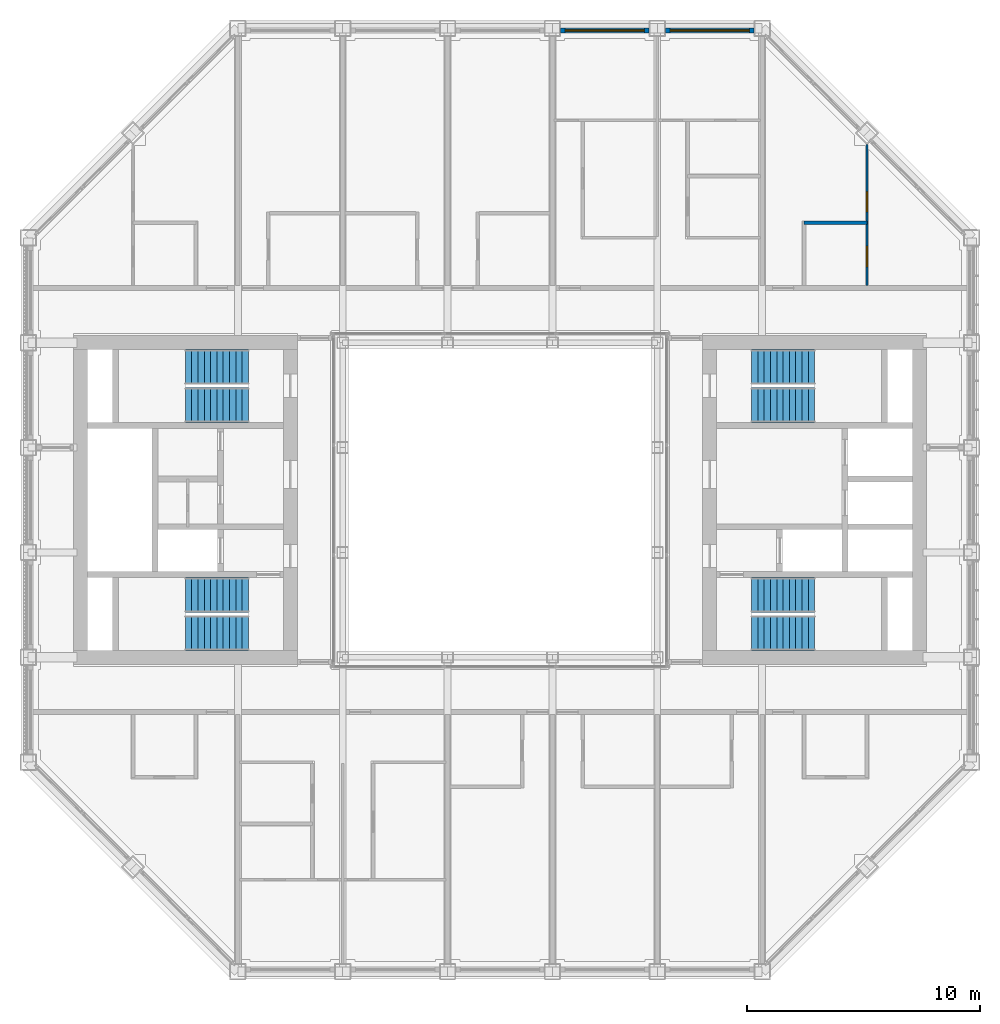
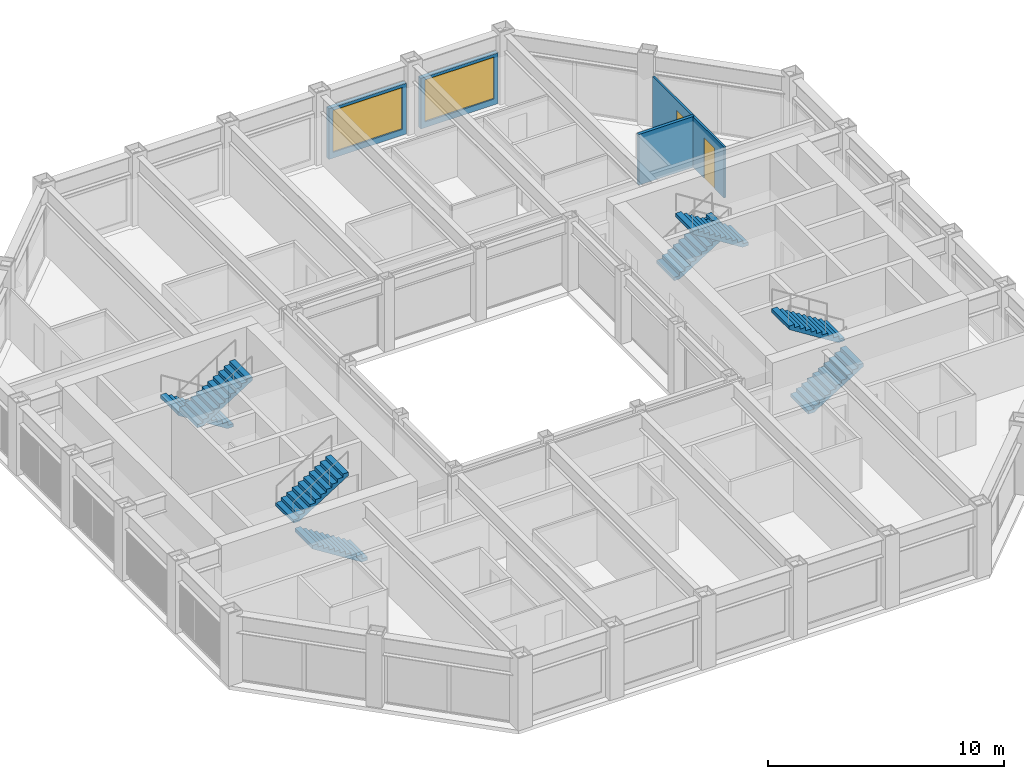
# One storey, part 13 of 18: 8 stair flights, 4 walls, 2 doors, 2 windows, 4 openings, 4 elements without a shape of their own.
"""IFC4 building model written with IfcOpenShell, lengths in metres."""

from ifc_helpers import new_model, si_unit, direction, frame, frame_2d, origin, place, context, subcontext, project, spatial, polyline, rectangle, outline, extrude, material, layer, layer_set, type_object, element, fill, aggregate, save


model = new_model("IFC4")

# Units and contexts
model_context = context("Model", 3, precision=1e-05, world=origin(), true_north=direction((0.0, 1.0)))
body_context = subcontext(model_context, "Body", "Model", "MODEL_VIEW")
ifc_project = project(units=[si_unit("LENGTHUNIT", "METRE"), si_unit("AREAUNIT", "SQUARE_METRE"), si_unit("VOLUMEUNIT", "CUBIC_METRE"), si_unit("PLANEANGLEUNIT", "RADIAN"), si_unit("MASSUNIT", "GRAM", prefix="KILO")], contexts=[model_context])

# Site, building, storey
site_placement = place(None, origin())
site = spatial("IfcSite", under=ifc_project, at=site_placement, CompositionType="ELEMENT")
building_placement = place(site_placement, origin())
building = spatial("IfcBuilding", under=site, at=building_placement, Name="Msasa Ring Tower", CompositionType="ELEMENT")
storey_placement = place(building_placement, frame((0.0, 0.0, 227.050048828125)))
storey = spatial("IfcBuildingStorey", under=building, at=storey_placement, Name="L59", CompositionType="ELEMENT", Elevation=227.050048828125)

# Wall, opening, window
ifc_material_1 = material(Name="Terracotta rainscreen on blockwork", Category="masonry")
ifc_layer_1 = layer(ifc_material_1, 0.199951171875)
ifc_layer_set_1 = layer_set([ifc_layer_1], Name="FW1 TERRACOTTA-LINED INFILL BAY WALL 200")
wall_type_1 = type_object("IfcWallType", Name="FW1 TERRACOTTA-LINED INFILL BAY WALL 200", PredefinedType="SOLIDWALL", material=ifc_layer_set_1)
wall_1_placement = place(storey_placement, frame((2.60498046875, 20.14990234375, 0.0), z_axis=(0.0, 0.0, 1.0), x_axis=(1.0, 0.0, 0.0)))
wall_1 = element("IfcWall", 1, at=wall_1_placement, inside=storey, type_object=wall_type_1, Name="Infill bay wall N L59 17", PredefinedType="SOLIDWALL", context=body_context, shape_type="SweptSolid", body=[
    extrude(rectangle(XDim=3.7900390625, YDim=0.199951171875, at=frame_2d((1.89501953125, 0.0))), origin(), (0.0, 0.0, 1.0), 2.62890625),
])
opening_1_placement = place(wall_1_placement, frame((0.195068359375, 0.0, 0.300048828125)))
opening_1 = element("IfcOpeningElement", 2, at=opening_1_placement, cuts=wall_1, Name="Opening WN3", PredefinedType="OPENING", context=body_context, shape_type="SweptSolid", body=[
    extrude(rectangle(XDim=3.39990234375, YDim=2.178955078125, at=frame_2d((1.699951171875, 1.08935546875))), frame((0.0, 0.10986328125, 0.0), z_axis=(0.0, -1.0, 0.0), x_axis=(1.0, 0.0, 0.0)), (0.0, 0.0, 1.0), 0.219970703125),
])
ifc_material_2 = material(Name="Aluminium frame with clear glass", Category="aluminium")
window_type = type_object("IfcWindowType", Name="WN3 SUITE WINDOW 3400x2179", PartitioningType="SINGLE_PANEL", PredefinedType="WINDOW", material=ifc_material_2)
window_1_placement = place(opening_1_placement, origin())
window_1 = element("IfcWindow", 3, at=window_1_placement, inside=storey, type_object=window_type, Name="Window N L59 17", OverallHeight=2.178955078125, OverallWidth=3.39990234375, PartitioningType="SINGLE_PANEL", PredefinedType="WINDOW", context=body_context, shape_type="SweptSolid", body=[
    extrude(rectangle(XDim=3.39990234375, YDim=2.178955078125, at=frame_2d((1.699951171875, 1.08935546875))), frame((0.0, 0.030029296875, 0.0), z_axis=(0.0, -1.0, 0.0), x_axis=(1.0, 0.0, 0.0)), (0.0, 0.0, 1.0), 0.06005859375),
])
fill(opening_1, window_1)

wall_2_placement = place(storey_placement, frame((7.10498046875, 20.14990234375, 0.0), z_axis=(0.0, 0.0, 1.0), x_axis=(1.0, 0.0, 0.0)))
wall_2 = element("IfcWall", 4, at=wall_2_placement, inside=storey, type_object=wall_type_1, Name="Infill bay wall N L59 18", PredefinedType="SOLIDWALL", context=body_context, shape_type="SweptSolid", body=[
    extrude(rectangle(XDim=3.7900390625, YDim=0.199951171875, at=frame_2d((1.89501953125, 0.0))), origin(), (0.0, 0.0, 1.0), 2.62890625),
])
opening_2_placement = place(wall_2_placement, frame((0.195068359375, 0.0, 0.300048828125)))
opening_2 = element("IfcOpeningElement", 5, at=opening_2_placement, cuts=wall_2, Name="Opening WN3", PredefinedType="OPENING", context=body_context, shape_type="SweptSolid", body=[
    extrude(rectangle(XDim=3.39990234375, YDim=2.178955078125, at=frame_2d((1.699951171875, 1.08935546875))), frame((0.0, 0.10986328125, 0.0), z_axis=(0.0, -1.0, 0.0), x_axis=(1.0, 0.0, 0.0)), (0.0, 0.0, 1.0), 0.219970703125),
])
window_2_placement = place(opening_2_placement, origin())
window_2 = element("IfcWindow", 6, at=window_2_placement, inside=storey, type_object=window_type, Name="Window N L59 18", OverallHeight=2.178955078125, OverallWidth=3.39990234375, PartitioningType="SINGLE_PANEL", PredefinedType="WINDOW", context=body_context, shape_type="SweptSolid", body=[
    extrude(rectangle(XDim=3.39990234375, YDim=2.178955078125, at=frame_2d((1.699951171875, 1.08935546875))), frame((0.0, 0.030029296875, 0.0), z_axis=(0.0, -1.0, 0.0), x_axis=(1.0, 0.0, 0.0)), (0.0, 0.0, 1.0), 0.06005859375),
])
fill(opening_2, window_2)

# Wall, openings, doors
ifc_material_3 = material(Name="Gypsum board on steel studs", Category="steel")
ifc_layer_2 = layer(ifc_material_3, 0.10009765625)
ifc_layer_set_2 = layer_set([ifc_layer_2], Name="PT2 STUD PARTITION 100")
wall_type_2 = type_object("IfcWallType", Name="PT2 STUD PARTITION 100", PredefinedType="PARTITIONING", material=ifc_layer_set_2)
wall_3_placement = place(storey_placement, frame((15.75, 9.199951171875, 0.0), z_axis=(0.0, 0.0, 1.0), x_axis=(0.0, 1.0, 0.0)))
wall_3 = element("IfcWall", 7, at=wall_3_placement, inside=storey, type_object=wall_type_2, Name="Partition L59-CSNEP1", PredefinedType="PARTITIONING", context=body_context, shape_type="SweptSolid", body=[
    extrude(rectangle(XDim=6.054931640625, YDim=0.10009765625, at=frame_2d((3.02734375, 0.0))), origin(), (0.0, 0.0, 1.0), 2.62890625),
])
opening_3_placement = place(wall_3_placement, frame((3.175048828125, 0.0, 0.0)))
opening_3 = element("IfcOpeningElement", 8, at=opening_3_placement, cuts=wall_3, Name="Opening SC-006", PredefinedType="OPENING", context=body_context, shape_type="SweptSolid", body=[
    extrude(rectangle(XDim=0.85009765625, YDim=2.10009765625, at=frame_2d((0.425048828125, 1.050048828125))), frame((0.0, 0.06005859375, 0.0), z_axis=(0.0, -1.0, 0.0), x_axis=(1.0, 0.0, 0.0)), (0.0, 0.0, 1.0), 0.1201171875),
])
opening_4_placement = place(wall_3_placement, frame((0.800048828125, 0.0, 0.0)))
opening_4 = element("IfcOpeningElement", 9, at=opening_4_placement, cuts=wall_3, Name="Opening SC-012", PredefinedType="OPENING", context=body_context, shape_type="SweptSolid", body=[
    extrude(rectangle(XDim=0.89990234375, YDim=2.10009765625, at=frame_2d((0.449951171875, 1.050048828125))), frame((0.0, 0.06005859375, 0.0), z_axis=(0.0, -1.0, 0.0), x_axis=(1.0, 0.0, 0.0)), (0.0, 0.0, 1.0), 0.1201171875),
])
ifc_material_4 = material(Name="Timber door leaf in a steel frame", Category="steel")
door_type_1 = type_object("IfcDoorType", Name="D14 BEDROOM DOOR 850x2100", OperationType="SINGLE_SWING_LEFT", PredefinedType="DOOR", material=ifc_material_4)
door_1_placement = place(opening_3_placement, origin())
door_1 = element("IfcDoor", 10, at=door_1_placement, inside=storey, type_object=door_type_1, Name="Door L59-CSNER1", OperationType="SINGLE_SWING_RIGHT", OverallHeight=2.10009765625, OverallWidth=0.85009765625, PredefinedType="DOOR", context=body_context, shape_type="SweptSolid", body=[
    extrude(rectangle(XDim=0.85009765625, YDim=2.10009765625, at=frame_2d((0.425048828125, 1.050048828125))), frame((0.0, 0.02490234375, 0.0), z_axis=(0.0, -1.0, 0.0), x_axis=(1.0, 0.0, 0.0)), (0.0, 0.0, 1.0), 0.050048828125),
])
fill(opening_3, door_1)
ifc_material_5 = material(Name="Timber door leaf in a steel frame", Category="steel")
door_type_2 = type_object("IfcDoorType", Name="D3 BATHROOM DOOR 900x2100", OperationType="SINGLE_SWING_LEFT", PredefinedType="DOOR", material=ifc_material_5)
door_2_placement = place(opening_4_placement, origin())
door_2 = element("IfcDoor", 11, at=door_2_placement, inside=storey, type_object=door_type_2, Name="Door L59-CSNEB1", OperationType="SINGLE_SWING_LEFT", OverallHeight=2.10009765625, OverallWidth=0.89990234375, PredefinedType="DOOR", context=body_context, shape_type="SweptSolid", body=[
    extrude(rectangle(XDim=0.89990234375, YDim=2.10009765625, at=frame_2d((0.449951171875, 1.050048828125))), frame((0.0, 0.02490234375, 0.0), z_axis=(0.0, -1.0, 0.0), x_axis=(1.0, 0.0, 0.0)), (0.0, 0.0, 1.0), 0.050048828125),
])
fill(opening_4, door_2)

# Wall
ifc_material_6 = material(Name="Moisture-resistant board on steel studs with a concealed cistern and pipe void, tiled", Category="steel")
ifc_layer_3 = layer(ifc_material_6, 0.14990234375)
ifc_layer_set_3 = layer_set([ifc_layer_3], Name="PT4 BATHROOM WET WALL 150")
wall_type_3 = type_object("IfcWallType", Name="PT4 BATHROOM WET WALL 150", PredefinedType="PARTITIONING", material=ifc_layer_set_3)
wall_4_placement = place(storey_placement, frame((13.050048828125, 11.89990234375, 0.0), z_axis=(0.0, 0.0, 1.0), x_axis=(1.0, 0.0, 0.0)))
element("IfcWall", 12, at=wall_4_placement, inside=storey, type_object=wall_type_3, Name="Partition L59-CSNEBY", PredefinedType="PARTITIONING", context=body_context, shape_type="SweptSolid", body=[
    extrude(rectangle(XDim=2.699951171875, YDim=0.14990234375, at=frame_2d((1.35009765625, 0.0))), origin(), (0.0, 0.0, 1.0), 2.62890625),
])

# Stair, stair flights
ifc_material_7 = material(Name="Concrete C40/50", Category="concrete")
stair_type = type_object("IfcStairType", Name="STC CORE STAIR 22 RISERS 170.5", PredefinedType="HALF_TURN_STAIR", material=ifc_material_7)
stair_1_placement = place(storey_placement, origin())
stair_1 = element("IfcStair", 13, at=stair_1_placement, inside=storey, type_object=stair_type, Name="Core stair SEA L59", PredefinedType="HALF_TURN_STAIR")
ifc_material_8 = material(Name="Concrete C40/50", Category="concrete")
stair_flight_type = type_object("IfcStairFlightType", Name="ST11 CORE STAIR FLIGHT 1500 11 RISERS 170.5", PredefinedType="STRAIGHT", material=ifc_material_8)
stair_flight_1_placement = place(storey_placement, frame((10.800048828125, -5.699951171875, 0.0), z_axis=(0.0, 0.0, 1.0), x_axis=(1.0, 0.0, 0.0)))
stair_flight_1 = element("IfcStairFlight", 14, at=stair_flight_1_placement, type_object=stair_flight_type, Name="SEA flight 1", NumberOfRisers=11, NumberOfTreads=10, PredefinedType="STRAIGHT", RiserHeight=0.170454545, TreadLength=0.27, context=body_context, shape_type="SweptSolid", body=[
    extrude(outline(polyline([(0.0, 0.0), (0.0, 0.17041015625), (0.27001953125, 0.17041015625), (0.27001953125, 0.3408203125), (0.5400390625, 0.3408203125), (0.5400390625, 0.511474609375), (0.81005859375, 0.511474609375), (0.81005859375, 0.681884765625), (1.080078125, 0.681884765625), (1.080078125, 0.852294921875), (1.35009765625, 0.852294921875), (1.35009765625, 1.022705078125), (1.6201171875, 1.022705078125), (1.6201171875, 1.193115234375), (1.889892578125, 1.193115234375), (1.889892578125, 1.363525390625), (2.159912109375, 1.363525390625), (2.159912109375, 1.5341796875), (2.429931640625, 1.5341796875), (2.429931640625, 1.70458984375), (2.699951171875, 1.70458984375), (2.699951171875, 1.875), (2.699951171875, 1.52734375), (0.28076171875, 0.0), (0.0, 0.0)])), frame((0.0, 0.75, 0.0), z_axis=(0.0, -1.0, 0.0), x_axis=(1.0, 0.0, 0.0)), (0.0, 0.0, 1.0), 1.5),
])
stair_flight_2_placement = place(storey_placement, frame((13.5, -4.074951171875, 1.875), z_axis=(0.0, 0.0, 1.0), x_axis=(-1.0, 0.0, 0.0)))
stair_flight_2 = element("IfcStairFlight", 15, at=stair_flight_2_placement, type_object=stair_flight_type, Name="SEA flight 2", NumberOfRisers=11, NumberOfTreads=10, PredefinedType="STRAIGHT", RiserHeight=0.170454545, TreadLength=0.27, context=body_context, shape_type="SweptSolid", body=[
    extrude(outline(polyline([(0.0, 0.0), (0.0, 0.17041015625), (0.27001953125, 0.17041015625), (0.27001953125, 0.3408203125), (0.5400390625, 0.3408203125), (0.5400390625, 0.511474609375), (0.81005859375, 0.511474609375), (0.81005859375, 0.681884765625), (1.080078125, 0.681884765625), (1.080078125, 0.852294921875), (1.35009765625, 0.852294921875), (1.35009765625, 1.022705078125), (1.6201171875, 1.022705078125), (1.6201171875, 1.193115234375), (1.889892578125, 1.193115234375), (1.889892578125, 1.363525390625), (2.159912109375, 1.363525390625), (2.159912109375, 1.5341796875), (2.429931640625, 1.5341796875), (2.429931640625, 1.70458984375), (2.699951171875, 1.70458984375), (2.699951171875, 1.875), (2.699951171875, 1.52734375), (0.28076171875, 0.0), (0.0, 0.0)])), frame((0.0, 0.75, 0.0), z_axis=(0.0, -1.0, 0.0), x_axis=(1.0, 0.0, 0.0)), (0.0, 0.0, 1.0), 1.5),
])
aggregate(stair_1, [stair_flight_1, stair_flight_2])

stair_2_placement = place(storey_placement, origin())
stair_2 = element("IfcStair", 16, at=stair_2_placement, inside=storey, type_object=stair_type, Name="Core stair SEB L59", PredefinedType="HALF_TURN_STAIR")
stair_flight_3_placement = place(storey_placement, frame((10.800048828125, 5.699951171875, 0.0), z_axis=(0.0, 0.0, 1.0), x_axis=(1.0, 0.0, 0.0)))
stair_flight_3 = element("IfcStairFlight", 17, at=stair_flight_3_placement, type_object=stair_flight_type, Name="SEB flight 1", NumberOfRisers=11, NumberOfTreads=10, PredefinedType="STRAIGHT", RiserHeight=0.170454545, TreadLength=0.27, context=body_context, shape_type="SweptSolid", body=[
    extrude(outline(polyline([(0.0, 0.0), (0.0, 0.17041015625), (0.27001953125, 0.17041015625), (0.27001953125, 0.3408203125), (0.5400390625, 0.3408203125), (0.5400390625, 0.511474609375), (0.81005859375, 0.511474609375), (0.81005859375, 0.681884765625), (1.080078125, 0.681884765625), (1.080078125, 0.852294921875), (1.35009765625, 0.852294921875), (1.35009765625, 1.022705078125), (1.6201171875, 1.022705078125), (1.6201171875, 1.193115234375), (1.889892578125, 1.193115234375), (1.889892578125, 1.363525390625), (2.159912109375, 1.363525390625), (2.159912109375, 1.5341796875), (2.429931640625, 1.5341796875), (2.429931640625, 1.70458984375), (2.699951171875, 1.70458984375), (2.699951171875, 1.875), (2.699951171875, 1.52734375), (0.28076171875, 0.0), (0.0, 0.0)])), frame((0.0, 0.75, 0.0), z_axis=(0.0, -1.0, 0.0), x_axis=(1.0, 0.0, 0.0)), (0.0, 0.0, 1.0), 1.5),
])
stair_flight_4_placement = place(storey_placement, frame((13.5, 4.074951171875, 1.875), z_axis=(0.0, 0.0, 1.0), x_axis=(-1.0, 0.0, 0.0)))
stair_flight_4 = element("IfcStairFlight", 18, at=stair_flight_4_placement, type_object=stair_flight_type, Name="SEB flight 2", NumberOfRisers=11, NumberOfTreads=10, PredefinedType="STRAIGHT", RiserHeight=0.170454545, TreadLength=0.27, context=body_context, shape_type="SweptSolid", body=[
    extrude(outline(polyline([(0.0, 0.0), (0.0, 0.17041015625), (0.27001953125, 0.17041015625), (0.27001953125, 0.3408203125), (0.5400390625, 0.3408203125), (0.5400390625, 0.511474609375), (0.81005859375, 0.511474609375), (0.81005859375, 0.681884765625), (1.080078125, 0.681884765625), (1.080078125, 0.852294921875), (1.35009765625, 0.852294921875), (1.35009765625, 1.022705078125), (1.6201171875, 1.022705078125), (1.6201171875, 1.193115234375), (1.889892578125, 1.193115234375), (1.889892578125, 1.363525390625), (2.159912109375, 1.363525390625), (2.159912109375, 1.5341796875), (2.429931640625, 1.5341796875), (2.429931640625, 1.70458984375), (2.699951171875, 1.70458984375), (2.699951171875, 1.875), (2.699951171875, 1.52734375), (0.28076171875, 0.0), (0.0, 0.0)])), frame((0.0, 0.75, 0.0), z_axis=(0.0, -1.0, 0.0), x_axis=(1.0, 0.0, 0.0)), (0.0, 0.0, 1.0), 1.5),
])
aggregate(stair_2, [stair_flight_3, stair_flight_4])

stair_3_placement = place(storey_placement, origin())
stair_3 = element("IfcStair", 19, at=stair_3_placement, inside=storey, type_object=stair_type, Name="Core stair SWA L59", PredefinedType="HALF_TURN_STAIR")
stair_flight_5_placement = place(storey_placement, frame((-10.800048828125, -5.699951171875, 0.0), z_axis=(0.0, 0.0, 1.0), x_axis=(-1.0, 0.0, 0.0)))
stair_flight_5 = element("IfcStairFlight", 20, at=stair_flight_5_placement, type_object=stair_flight_type, Name="SWA flight 1", NumberOfRisers=11, NumberOfTreads=10, PredefinedType="STRAIGHT", RiserHeight=0.170454545, TreadLength=0.27, context=body_context, shape_type="SweptSolid", body=[
    extrude(outline(polyline([(0.0, 0.0), (0.0, 0.17041015625), (0.27001953125, 0.17041015625), (0.27001953125, 0.3408203125), (0.5400390625, 0.3408203125), (0.5400390625, 0.511474609375), (0.81005859375, 0.511474609375), (0.81005859375, 0.681884765625), (1.080078125, 0.681884765625), (1.080078125, 0.852294921875), (1.35009765625, 0.852294921875), (1.35009765625, 1.022705078125), (1.6201171875, 1.022705078125), (1.6201171875, 1.193115234375), (1.889892578125, 1.193115234375), (1.889892578125, 1.363525390625), (2.159912109375, 1.363525390625), (2.159912109375, 1.5341796875), (2.429931640625, 1.5341796875), (2.429931640625, 1.70458984375), (2.699951171875, 1.70458984375), (2.699951171875, 1.875), (2.699951171875, 1.52734375), (0.28076171875, 0.0), (0.0, 0.0)])), frame((0.0, 0.75, 0.0), z_axis=(0.0, -1.0, 0.0), x_axis=(1.0, 0.0, 0.0)), (0.0, 0.0, 1.0), 1.5),
])
stair_flight_6_placement = place(storey_placement, frame((-13.5, -4.074951171875, 1.875), z_axis=(0.0, 0.0, 1.0), x_axis=(1.0, 0.0, 0.0)))
stair_flight_6 = element("IfcStairFlight", 21, at=stair_flight_6_placement, type_object=stair_flight_type, Name="SWA flight 2", NumberOfRisers=11, NumberOfTreads=10, PredefinedType="STRAIGHT", RiserHeight=0.170454545, TreadLength=0.27, context=body_context, shape_type="SweptSolid", body=[
    extrude(outline(polyline([(0.0, 0.0), (0.0, 0.17041015625), (0.27001953125, 0.17041015625), (0.27001953125, 0.3408203125), (0.5400390625, 0.3408203125), (0.5400390625, 0.511474609375), (0.81005859375, 0.511474609375), (0.81005859375, 0.681884765625), (1.080078125, 0.681884765625), (1.080078125, 0.852294921875), (1.35009765625, 0.852294921875), (1.35009765625, 1.022705078125), (1.6201171875, 1.022705078125), (1.6201171875, 1.193115234375), (1.889892578125, 1.193115234375), (1.889892578125, 1.363525390625), (2.159912109375, 1.363525390625), (2.159912109375, 1.5341796875), (2.429931640625, 1.5341796875), (2.429931640625, 1.70458984375), (2.699951171875, 1.70458984375), (2.699951171875, 1.875), (2.699951171875, 1.52734375), (0.28076171875, 0.0), (0.0, 0.0)])), frame((0.0, 0.75, 0.0), z_axis=(0.0, -1.0, 0.0), x_axis=(1.0, 0.0, 0.0)), (0.0, 0.0, 1.0), 1.5),
])
aggregate(stair_3, [stair_flight_5, stair_flight_6])

stair_4_placement = place(storey_placement, origin())
stair_4 = element("IfcStair", 22, at=stair_4_placement, inside=storey, type_object=stair_type, Name="Core stair SWB L59", PredefinedType="HALF_TURN_STAIR")
stair_flight_7_placement = place(storey_placement, frame((-10.800048828125, 5.699951171875, 0.0), z_axis=(0.0, 0.0, 1.0), x_axis=(-1.0, 0.0, 0.0)))
stair_flight_7 = element("IfcStairFlight", 23, at=stair_flight_7_placement, type_object=stair_flight_type, Name="SWB flight 1", NumberOfRisers=11, NumberOfTreads=10, PredefinedType="STRAIGHT", RiserHeight=0.170454545, TreadLength=0.27, context=body_context, shape_type="SweptSolid", body=[
    extrude(outline(polyline([(0.0, 0.0), (0.0, 0.17041015625), (0.27001953125, 0.17041015625), (0.27001953125, 0.3408203125), (0.5400390625, 0.3408203125), (0.5400390625, 0.511474609375), (0.81005859375, 0.511474609375), (0.81005859375, 0.681884765625), (1.080078125, 0.681884765625), (1.080078125, 0.852294921875), (1.35009765625, 0.852294921875), (1.35009765625, 1.022705078125), (1.6201171875, 1.022705078125), (1.6201171875, 1.193115234375), (1.889892578125, 1.193115234375), (1.889892578125, 1.363525390625), (2.159912109375, 1.363525390625), (2.159912109375, 1.5341796875), (2.429931640625, 1.5341796875), (2.429931640625, 1.70458984375), (2.699951171875, 1.70458984375), (2.699951171875, 1.875), (2.699951171875, 1.52734375), (0.28076171875, 0.0), (0.0, 0.0)])), frame((0.0, 0.75, 0.0), z_axis=(0.0, -1.0, 0.0), x_axis=(1.0, 0.0, 0.0)), (0.0, 0.0, 1.0), 1.5),
])
stair_flight_8_placement = place(storey_placement, frame((-13.5, 4.074951171875, 1.875), z_axis=(0.0, 0.0, 1.0), x_axis=(1.0, 0.0, 0.0)))
stair_flight_8 = element("IfcStairFlight", 24, at=stair_flight_8_placement, type_object=stair_flight_type, Name="SWB flight 2", NumberOfRisers=11, NumberOfTreads=10, PredefinedType="STRAIGHT", RiserHeight=0.170454545, TreadLength=0.27, context=body_context, shape_type="SweptSolid", body=[
    extrude(outline(polyline([(0.0, 0.0), (0.0, 0.17041015625), (0.27001953125, 0.17041015625), (0.27001953125, 0.3408203125), (0.5400390625, 0.3408203125), (0.5400390625, 0.511474609375), (0.81005859375, 0.511474609375), (0.81005859375, 0.681884765625), (1.080078125, 0.681884765625), (1.080078125, 0.852294921875), (1.35009765625, 0.852294921875), (1.35009765625, 1.022705078125), (1.6201171875, 1.022705078125), (1.6201171875, 1.193115234375), (1.889892578125, 1.193115234375), (1.889892578125, 1.363525390625), (2.159912109375, 1.363525390625), (2.159912109375, 1.5341796875), (2.429931640625, 1.5341796875), (2.429931640625, 1.70458984375), (2.699951171875, 1.70458984375), (2.699951171875, 1.875), (2.699951171875, 1.52734375), (0.28076171875, 0.0), (0.0, 0.0)])), frame((0.0, 0.75, 0.0), z_axis=(0.0, -1.0, 0.0), x_axis=(1.0, 0.0, 0.0)), (0.0, 0.0, 1.0), 1.5),
])
aggregate(stair_4, [stair_flight_7, stair_flight_8])

save(model, "model.ifc")
